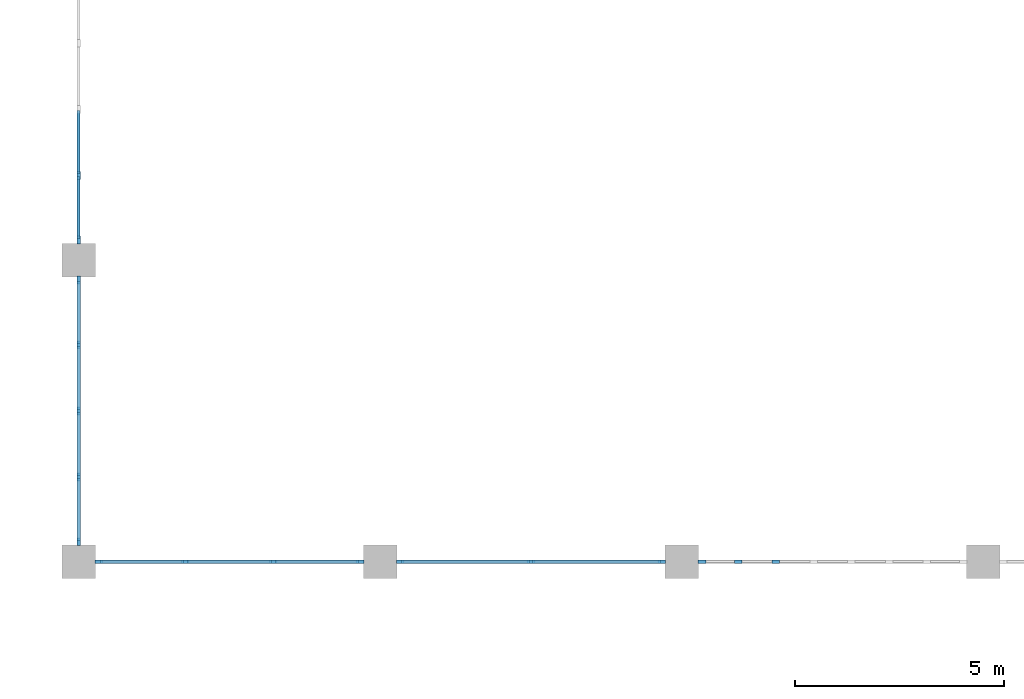
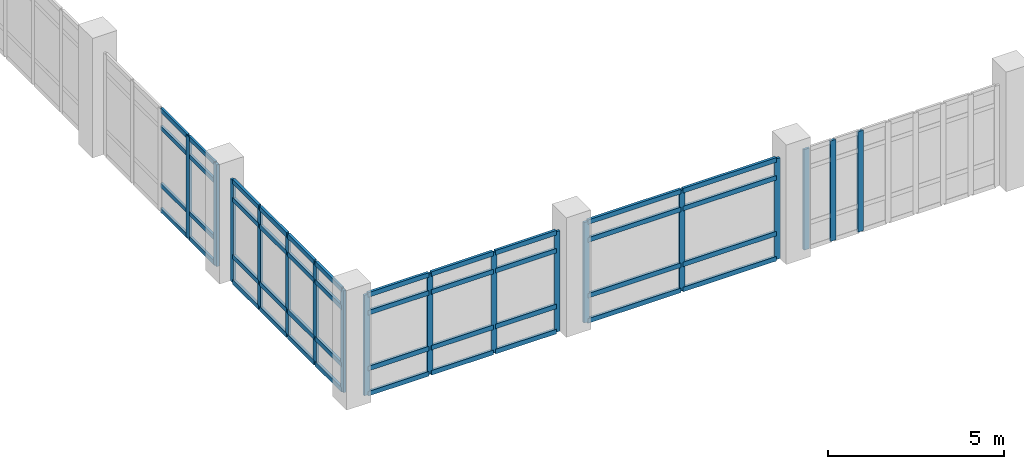
# One storey, part 2 of 62: 61 members, 5 elements without a shape of their own.
"""IFC4 building model written with IfcOpenShell, lengths in metres."""

import ifcopenshell
import ifcopenshell.guid

model = None  # the IFC model being written
_history = None  # IfcOwnerHistory: only IFC2X3 demands one
_inside = {}  # id of a spatial element -> (the spatial element, [elements in it])
_under = {}  # id of a project, library or spatial element -> (it, [spatial elements below it])
_declared = {}  # id of a project -> (the project, [libraries it declares])
_typed = {}  # id of a type object -> (the type object, [elements of that type])
_made_of = {}  # id of a material, layer set ... -> (it, [elements and type objects made of it])


def new_model(schema):
    """Start an empty IFC model of exactly this schema.

    Asked for "IFC4X3", IfcOpenShell would pick the latest addendum, in which some entities
    have other attributes; the version numbers below select the first issue.
    IFC2X3 requires an IfcOwnerHistory on every rooted entity: one is made here for all.
    """
    global model, _history
    if schema == "IFC4X3":
        model = ifcopenshell.file(schema_version=(4, 3, 0, 0))
    else:
        model = ifcopenshell.file(schema=schema)
    _inside.clear()
    _under.clear()
    _declared.clear()
    _typed.clear()
    _made_of.clear()
    _history = None
    if model.schema == "IFC2X3":
        org = make("IfcOrganization", Name="unknown")
        user = make(
            "IfcPersonAndOrganization",
            ThePerson=make("IfcPerson", FamilyName="unknown"),
            TheOrganization=org,
        )
        app = make(
            "IfcApplication",
            ApplicationDeveloper=org,
            Version="unknown",
            ApplicationFullName="unknown",
            ApplicationIdentifier="unknown",
        )
        _history = make(
            "IfcOwnerHistory",
            OwningUser=user,
            OwningApplication=app,
            ChangeAction="ADDED",
            CreationDate=0,
        )
    return model


def make(cls, **values):
    """One entity of the class cls with the attributes given. An attribute that is None is left unset."""
    return model.create_entity(
        cls, **{name: value for name, value in values.items() if value is not None}
    )


def rooted(cls, **values):
    """An entity with a GlobalId (a new one), such as an element, a storey or a relation."""
    return make(cls, GlobalId=ifcopenshell.guid.new(), OwnerHistory=_history, **values)


def si_unit(unit_type, name, prefix=None):
    """IfcSIUnit, for example si_unit("LENGTHUNIT", "METRE", prefix="MILLI")."""
    return make("IfcSIUnit", UnitType=unit_type, Prefix=prefix, Name=name)


def assignment(units):
    """IfcUnitAssignment: the units of a project."""
    return None if units is None else make("IfcUnitAssignment", Units=units)


def point(xyz):
    """IfcCartesianPoint."""
    return None if xyz is None else make("IfcCartesianPoint", Coordinates=xyz)


def direction(xyz):
    """IfcDirection."""
    return None if xyz is None else make("IfcDirection", DirectionRatios=xyz)


def frame(location, z_axis=None, x_axis=None):
    """IfcAxis2Placement3D, a coordinate frame: its origin and axes. An axis left out is left unset."""
    return make(
        "IfcAxis2Placement3D",
        Location=point(location),
        Axis=direction(z_axis),
        RefDirection=direction(x_axis),
    )


def frame_2d(location, x_axis=None):
    """IfcAxis2Placement2D, a coordinate frame in the plane: its origin and x axis."""
    return make(
        "IfcAxis2Placement2D", Location=point(location), RefDirection=direction(x_axis)
    )


def origin():
    """The frame at (0, 0, 0) with its axes left unset."""
    return frame((0.0, 0.0, 0.0))


def origin_2d():
    """The frame at (0, 0) in the plane with its x axis left unset."""
    return frame_2d((0.0, 0.0))


def place(relative_to, where):
    """IfcLocalPlacement: puts the frame where relative to a parent placement (None: the world)."""
    return make(
        "IfcLocalPlacement", PlacementRelTo=relative_to, RelativePlacement=where
    )


def context(
    kind, dimensions, precision=None, world=None, true_north=None, identifier=None
):
    """IfcGeometricRepresentationContext, for example the 3D "Model" context."""
    return make(
        "IfcGeometricRepresentationContext",
        ContextIdentifier=identifier,
        ContextType=kind,
        CoordinateSpaceDimension=dimensions,
        Precision=precision,
        WorldCoordinateSystem=world,
        TrueNorth=true_north,
    )


def subcontext(parent, identifier, kind, view, scale=None):
    """IfcGeometricRepresentationSubContext, for example "Body" below "Model"."""
    return make(
        "IfcGeometricRepresentationSubContext",
        ContextIdentifier=identifier,
        ContextType=kind,
        ParentContext=parent,
        TargetScale=scale,
        TargetView=view,
    )


def project(units=None, contexts=None):
    """IfcProject with its units and contexts."""
    return rooted(
        "IfcProject",
        Name="project",
        RepresentationContexts=contexts,
        UnitsInContext=assignment(units),
    )


def spatial(cls, under=None, at=None, **own):
    """A site, building, storey or space (cls), placed at a placement, below another one or the project."""
    s = rooted(cls, ObjectPlacement=at, **own)
    if under is not None:
        _under.setdefault(under.id(), (under, []))[1].append(s)
    return s


def profile(cls, at=None, kind="AREA", **sizes):
    """A parametric profile (cls). Its sizes go by their IFC names, for example OverallWidth=200.0."""
    return make(cls, ProfileType=kind, Position=at, **sizes)


def rectangle(**sizes):
    """IfcRectangleProfileDef."""
    return profile("IfcRectangleProfileDef", **sizes)


def extrude(swept, where, along, depth):
    """IfcExtrudedAreaSolid: the profile swept, set in the frame where, extruded along a direction by depth."""
    return make(
        "IfcExtrudedAreaSolid",
        SweptArea=swept,
        Position=where,
        ExtrudedDirection=direction(along),
        Depth=depth,
    )


def shape(context_of_items, identifier, shape_type, items):
    """IfcShapeRepresentation: the items that make up one representation, for example the "Body"."""
    return make(
        "IfcShapeRepresentation",
        ContextOfItems=context_of_items,
        RepresentationIdentifier=identifier,
        RepresentationType=shape_type,
        Items=items,
    )


def material(Name=None, Category=None):
    """IfcMaterial."""
    return make("IfcMaterial", Name=Name, Category=Category)


def layer(
    of_material, thickness, ventilated=None, Name=None, Category=None, Priority=None
):
    """IfcMaterialLayer: one layer of a wall or slab, of a material (None: an air gap)."""
    return make(
        "IfcMaterialLayer",
        Material=of_material,
        LayerThickness=thickness,
        IsVentilated=ventilated,
        Name=Name,
        Category=Category,
        Priority=Priority,
    )


def layer_set(layers, Name=None):
    """IfcMaterialLayerSet."""
    return make("IfcMaterialLayerSet", MaterialLayers=layers, LayerSetName=Name)


def material_profile(
    of_material, cross_section, Name=None, Category=None, Priority=None
):
    """IfcMaterialProfile: a cross section and its material."""
    return make(
        "IfcMaterialProfile",
        Name=Name,
        Material=of_material,
        Profile=cross_section,
        Priority=Priority,
        Category=Category,
    )


def profile_set(profiles, Name=None, composite=None):
    """IfcMaterialProfileSet."""
    return make(
        "IfcMaterialProfileSet",
        Name=Name,
        MaterialProfiles=profiles,
        CompositeProfile=composite,
    )


def made_of(thing, what):
    """Note that an element or type object is made of a material, layer set ...; save() writes the relation."""
    if what is not None:
        _made_of.setdefault(what.id(), (what, []))[1].append(thing)
    return thing


def type_object(cls, material=None, **own):
    """A type object (cls), such as IfcWallType, which elements share."""
    return made_of(rooted(cls, **own), material)


def element(
    cls,
    number,
    at=None,
    inside=None,
    cuts=None,
    type_object=None,
    material=None,
    context=None,
    identifier="Body",
    shape_type=None,
    held_by="IfcProductDefinitionShape",
    body=None,
    shapes=None,
    **own,
):
    """One element of the class cls, such as IfcWall. Its Tag is "e" and its number.

    at: its placement. inside: the storey or other place that contains it. cuts: it is an
    opening in that element (IfcRelVoidsElement). A single representation is given by context,
    identifier, shape_type and body (its items); several are given by shapes. held_by: the class
    of the entity that holds the representations. save() writes the other relations.
    """
    e = rooted(cls, Tag="e%d" % number, ObjectPlacement=at, **own)
    if body is not None:
        shapes = [shape(context, identifier, shape_type, body)]
    if shapes is not None:
        e.Representation = make(held_by, Representations=shapes)
    if inside is not None:
        _inside.setdefault(inside.id(), (inside, []))[1].append(e)
    if cuts is not None:
        rooted(
            "IfcRelVoidsElement", RelatingBuildingElement=cuts, RelatedOpeningElement=e
        )
    if type_object is not None:
        _typed.setdefault(type_object.id(), (type_object, []))[1].append(e)
    return made_of(e, material)


def aggregate(whole, parts):
    """IfcRelAggregates: a whole, such as a stair, and the parts it consists of."""
    return rooted("IfcRelAggregates", RelatingObject=whole, RelatedObjects=parts)


def save(model, path):
    """Write the relations noted so far, then the file.

    IfcRelAggregates (storeys below a building ...), IfcRelContainedInSpatialStructure (elements
    in a storey), IfcRelDefinesByType, IfcRelAssociatesMaterial and IfcRelDeclares: one each for
    every whole, place, type object, material and project.
    """
    for whole, parts in _under.values():
        aggregate(whole, parts)
    for where, things in _inside.values():
        rooted(
            "IfcRelContainedInSpatialStructure",
            RelatedElements=things,
            RelatingStructure=where,
        )
    for kind, things in _typed.values():
        rooted("IfcRelDefinesByType", RelatedObjects=things, RelatingType=kind)
    for what, things in _made_of.values():
        rooted("IfcRelAssociatesMaterial", RelatedObjects=things, RelatingMaterial=what)
    for by, libraries in _declared.values():
        rooted("IfcRelDeclares", RelatingContext=by, RelatedDefinitions=libraries)
    model.write(path)


model = new_model("IFC4")

# Units and contexts
model_context = context("Model", 3, precision=1e-05, world=origin(), true_north=direction((0.0, 1.0)))
body_context = subcontext(model_context, "Body", "Model", "MODEL_VIEW")
ifc_project = project(units=[si_unit("LENGTHUNIT", "METRE"), si_unit("AREAUNIT", "SQUARE_METRE"), si_unit("VOLUMEUNIT", "CUBIC_METRE"), si_unit("PLANEANGLEUNIT", "RADIAN"), si_unit("MASSUNIT", "GRAM", prefix="KILO")], contexts=[model_context])

# Site, building, storey
site_placement = place(None, origin())
site = spatial("IfcSite", under=ifc_project, at=site_placement, CompositionType="ELEMENT")
building_placement = place(site_placement, origin())
building = spatial("IfcBuilding", under=site, at=building_placement, Name="Kavelor Marine Aquarium", CompositionType="ELEMENT")
storey_placement = place(building_placement, frame((0.0, 0.0, 13.5)))
storey = spatial("IfcBuildingStorey", under=building, at=storey_placement, Name="L03", CompositionType="ELEMENT", Elevation=13.5)

# Curtain wall, members
ifc_material_1 = material(Name="Thermally Broken Aluminium and Low-E Glass", Category="aluminium")
ifc_layer_1 = layer(ifc_material_1, 0.31591796875)
ifc_layer_set_1 = layer_set([ifc_layer_1], Name="CW-SYS22")
curtain_wall_type_1 = type_object("IfcCurtainWallType", Name="CW-SYS22", PredefinedType="USERDEFINED", material=ifc_layer_set_1)
curtain_wall_1_placement = place(storey_placement, origin())
curtain_wall_1 = element("IfcCurtainWall", 1, at=curtain_wall_1_placement, inside=storey, type_object=curtain_wall_type_1, Name="cw:x:L03:00_03", ObjectType="Curtain Wall", PredefinedType="USERDEFINED")
ifc_material_2 = material(Name="Anodised Aluminium Alloy 6063-T6", Category="aluminium")
ifc_material_profile_1 = material_profile(ifc_material_2, rectangle(XDim=0.074951171875, YDim=0.179931640625, at=origin_2d()), Name="CW-MUL 75x180")
ifc_profile_set_1 = profile_set([ifc_material_profile_1], Name="Anodised Aluminium Alloy 6063-T6")
member_type_1 = type_object("IfcMemberType", Name="CWM-1", PredefinedType="MULLION", material=ifc_profile_set_1)
member_1_placement = place(storey_placement, frame((9.91748046875, 24.39990234375, 0.0), z_axis=(0.0, 0.0, 1.0), x_axis=(0.0, -1.0, 0.0)))
member_1 = element("IfcMember", 2, at=member_1_placement, type_object=member_type_1, Name="CW22 mullion 1", PredefinedType="MULLION", context=body_context, shape_type="SweptSolid", body=[
    extrude(rectangle(XDim=0.074951171875, YDim=0.179931640625, at=origin_2d()), origin(), (0.0, 0.0, 1.0), 3.47998046875),
])
member_2_placement = place(storey_placement, frame((7.8515625, 24.39990234375, 0.0), z_axis=(0.0, 0.0, 1.0), x_axis=(0.0, -1.0, 0.0)))
member_2 = element("IfcMember", 3, at=member_2_placement, type_object=member_type_1, Name="CW22 mullion 2", PredefinedType="MULLION", context=body_context, shape_type="SweptSolid", body=[
    extrude(rectangle(XDim=0.074951171875, YDim=0.179931640625, at=origin_2d()), origin(), (0.0, 0.0, 1.0), 3.47998046875),
])
member_3_placement = place(storey_placement, frame((5.748291015625, 24.39990234375, 0.0), z_axis=(0.0, 0.0, 1.0), x_axis=(0.0, -1.0, 0.0)))
member_3 = element("IfcMember", 4, at=member_3_placement, type_object=member_type_1, Name="CW22 mullion 3", PredefinedType="MULLION", context=body_context, shape_type="SweptSolid", body=[
    extrude(rectangle(XDim=0.074951171875, YDim=0.179931640625, at=origin_2d()), origin(), (0.0, 0.0, 1.0), 3.47998046875),
])
member_4_placement = place(storey_placement, frame((3.6826171875, 24.39990234375, 0.0), z_axis=(0.0, 0.0, 1.0), x_axis=(0.0, -1.0, 0.0)))
member_4 = element("IfcMember", 5, at=member_4_placement, type_object=member_type_1, Name="CW22 mullion 4", PredefinedType="MULLION", context=body_context, shape_type="SweptSolid", body=[
    extrude(rectangle(XDim=0.074951171875, YDim=0.179931640625, at=origin_2d()), origin(), (0.0, 0.0, 1.0), 3.47998046875),
])

ifc_material_3 = material(Name="Thermally Broken Aluminium and Low-E Glass", Category="aluminium")
ifc_layer_2 = layer(ifc_material_3, 0.14794921875)
ifc_layer_set_2 = layer_set([ifc_layer_2], Name="CW-SYS1")
curtain_wall_type_2 = type_object("IfcCurtainWallType", Name="CW-SYS1", PredefinedType="USERDEFINED", material=ifc_layer_set_2)
curtain_wall_2_placement = place(storey_placement, origin())
curtain_wall_2 = element("IfcCurtainWall", 6, at=curtain_wall_2_placement, inside=storey, type_object=curtain_wall_type_2, Name="cw:x:L03:02_03", ObjectType="Curtain Wall", PredefinedType="USERDEFINED")
member_5_placement = place(storey_placement, frame((19.847900390625, 24.39990234375, 0.0), z_axis=(0.0, 0.0, 1.0), x_axis=(0.0, -1.0, 0.0)))
member_5 = element("IfcMember", 7, at=member_5_placement, type_object=member_type_1, Name="CW01 mullion 6", PredefinedType="MULLION", context=body_context, shape_type="SweptSolid", body=[
    extrude(rectangle(XDim=0.074951171875, YDim=0.179931640625, at=origin_2d()), origin(), (0.0, 0.0, 1.0), 3.47998046875),
])
member_6_placement = place(storey_placement, frame((18.946533203125, 24.39990234375, 0.0), z_axis=(0.0, 0.0, 1.0), x_axis=(0.0, -1.0, 0.0)))
member_6 = element("IfcMember", 8, at=member_6_placement, type_object=member_type_1, Name="CW01 mullion 7", PredefinedType="MULLION", context=body_context, shape_type="SweptSolid", body=[
    extrude(rectangle(XDim=0.074951171875, YDim=0.179931640625, at=origin_2d()), origin(), (0.0, 0.0, 1.0), 3.47998046875),
])
member_7_placement = place(storey_placement, frame((18.08251953125, 24.39990234375, 0.0), z_axis=(0.0, 0.0, 1.0), x_axis=(0.0, -1.0, 0.0)))
member_7 = element("IfcMember", 9, at=member_7_placement, type_object=member_type_1, Name="CW01 mullion 8", PredefinedType="MULLION", context=body_context, shape_type="SweptSolid", body=[
    extrude(rectangle(XDim=0.074951171875, YDim=0.179931640625, at=origin_2d()), origin(), (0.0, 0.0, 1.0), 3.47998046875),
])
aggregate(curtain_wall_2, [member_5, member_6, member_7])

ifc_material_4 = material(Name="Thermally Broken Aluminium and Low-E Glass", Category="aluminium")
ifc_layer_3 = layer(ifc_material_4, 0.323974609375)
ifc_layer_set_3 = layer_set([ifc_layer_3], Name="CW-SYS23")
curtain_wall_type_3 = type_object("IfcCurtainWallType", Name="CW-SYS23", PredefinedType="USERDEFINED", material=ifc_layer_set_3)
curtain_wall_3_placement = place(storey_placement, origin())
curtain_wall_3 = element("IfcCurtainWall", 10, at=curtain_wall_3_placement, inside=storey, type_object=curtain_wall_type_3, Name="cw:x:L03:01_03", ObjectType="Curtain Wall", PredefinedType="USERDEFINED")
ifc_material_5 = material(Name="Anodised Aluminium Alloy 6063-T6", Category="aluminium")
ifc_material_profile_2 = material_profile(ifc_material_5, rectangle(XDim=0.080078125, YDim=0.18505859375, at=origin_2d()), Name="CW-MUL 80x185")
ifc_profile_set_2 = profile_set([ifc_material_profile_2], Name="Anodised Aluminium Alloy 6063-T6")
member_type_2 = type_object("IfcMemberType", Name="CWM-2", PredefinedType="MULLION", material=ifc_profile_set_2)
member_8_placement = place(storey_placement, frame((17.12255859375, 24.39990234375, 0.0), z_axis=(0.0, 0.0, 1.0), x_axis=(0.0, -1.0, 0.0)))
member_8 = element("IfcMember", 11, at=member_8_placement, type_object=member_type_2, Name="CW23 mullion 1", PredefinedType="MULLION", context=body_context, shape_type="SweptSolid", body=[
    extrude(rectangle(XDim=0.080078125, YDim=0.18505859375, at=origin_2d()), origin(), (0.0, 0.0, 1.0), 3.47998046875),
])
member_9_placement = place(storey_placement, frame((14.0, 24.39990234375, 0.0), z_axis=(0.0, 0.0, 1.0), x_axis=(0.0, -1.0, 0.0)))
member_9 = element("IfcMember", 12, at=member_9_placement, type_object=member_type_2, Name="CW23 mullion 2", PredefinedType="MULLION", context=body_context, shape_type="SweptSolid", body=[
    extrude(rectangle(XDim=0.080078125, YDim=0.18505859375, at=origin_2d()), origin(), (0.0, 0.0, 1.0), 3.47998046875),
])
member_10_placement = place(storey_placement, frame((10.87744140625, 24.39990234375, 0.0), z_axis=(0.0, 0.0, 1.0), x_axis=(0.0, -1.0, 0.0)))
member_10 = element("IfcMember", 13, at=member_10_placement, type_object=member_type_2, Name="CW23 mullion 3", PredefinedType="MULLION", context=body_context, shape_type="SweptSolid", body=[
    extrude(rectangle(XDim=0.080078125, YDim=0.18505859375, at=origin_2d()), origin(), (0.0, 0.0, 1.0), 3.47998046875),
])

ifc_material_6 = material(Name="Thermally Broken Aluminium and Low-E Glass", Category="aluminium")
ifc_layer_4 = layer(ifc_material_6, 0.22802734375)
ifc_layer_set_4 = layer_set([ifc_layer_4], Name="CW-SYS11")
curtain_wall_type_4 = type_object("IfcCurtainWallType", Name="CW-SYS11", PredefinedType="USERDEFINED", material=ifc_layer_set_4)
curtain_wall_4_placement = place(storey_placement, origin())
curtain_wall_4 = element("IfcCurtainWall", 14, at=curtain_wall_4_placement, inside=storey, type_object=curtain_wall_type_4, Name="cw:y:L03:00_03", ObjectType="Curtain Wall", PredefinedType="USERDEFINED")
member_11_placement = place(storey_placement, frame((3.199951171875, 31.12255859375, 0.0), z_axis=(0.0, 0.0, 1.0), x_axis=(1.0, 0.0, 0.0)))
member_11 = element("IfcMember", 15, at=member_11_placement, type_object=member_type_2, Name="CW11 mullion 1", PredefinedType="MULLION", context=body_context, shape_type="SweptSolid", body=[
    extrude(rectangle(XDim=0.080078125, YDim=0.18505859375, at=origin_2d()), origin(), (0.0, 0.0, 1.0), 3.530029296875),
])
member_12_placement = place(storey_placement, frame((3.199951171875, 29.577392578125, 0.0), z_axis=(0.0, 0.0, 1.0), x_axis=(1.0, 0.0, 0.0)))
member_12 = element("IfcMember", 16, at=member_12_placement, type_object=member_type_2, Name="CW11 mullion 2", PredefinedType="MULLION", context=body_context, shape_type="SweptSolid", body=[
    extrude(rectangle(XDim=0.080078125, YDim=0.18505859375, at=origin_2d()), origin(), (0.0, 0.0, 1.0), 3.530029296875),
])
member_13_placement = place(storey_placement, frame((3.199951171875, 28.0, 0.0), z_axis=(0.0, 0.0, 1.0), x_axis=(1.0, 0.0, 0.0)))
member_13 = element("IfcMember", 17, at=member_13_placement, type_object=member_type_2, Name="CW11 mullion 3", PredefinedType="MULLION", context=body_context, shape_type="SweptSolid", body=[
    extrude(rectangle(XDim=0.080078125, YDim=0.18505859375, at=origin_2d()), origin(), (0.0, 0.0, 1.0), 3.530029296875),
])
member_14_placement = place(storey_placement, frame((3.199951171875, 26.422607421875, 0.0), z_axis=(0.0, 0.0, 1.0), x_axis=(1.0, 0.0, 0.0)))
member_14 = element("IfcMember", 18, at=member_14_placement, type_object=member_type_2, Name="CW11 mullion 4", PredefinedType="MULLION", context=body_context, shape_type="SweptSolid", body=[
    extrude(rectangle(XDim=0.080078125, YDim=0.18505859375, at=origin_2d()), origin(), (0.0, 0.0, 1.0), 3.530029296875),
])
member_15_placement = place(storey_placement, frame((3.199951171875, 24.87744140625, 0.0), z_axis=(0.0, 0.0, 1.0), x_axis=(1.0, 0.0, 0.0)))
member_15 = element("IfcMember", 19, at=member_15_placement, type_object=member_type_2, Name="CW11 mullion 5", PredefinedType="MULLION", context=body_context, shape_type="SweptSolid", body=[
    extrude(rectangle(XDim=0.080078125, YDim=0.18505859375, at=origin_2d()), origin(), (0.0, 0.0, 1.0), 3.530029296875),
])

ifc_material_7 = material(Name="Thermally Broken Aluminium and Low-E Glass", Category="aluminium")
ifc_layer_5 = layer(ifc_material_7, 0.236083984375)
ifc_layer_set_5 = layer_set([ifc_layer_5], Name="CW-SYS12")
curtain_wall_type_5 = type_object("IfcCurtainWallType", Name="CW-SYS12", PredefinedType="USERDEFINED", material=ifc_layer_set_5)
curtain_wall_5_placement = place(storey_placement, origin())
curtain_wall_5 = element("IfcCurtainWall", 20, at=curtain_wall_5_placement, inside=storey, type_object=curtain_wall_type_5, Name="cw:y:L03:00_04", ObjectType="Curtain Wall", PredefinedType="USERDEFINED")
ifc_material_8 = material(Name="Anodised Aluminium Alloy 6063-T6", Category="aluminium")
ifc_material_profile_3 = material_profile(ifc_material_8, rectangle(XDim=0.0849609375, YDim=0.18994140625, at=origin_2d()), Name="CW-MUL 85x190")
ifc_profile_set_3 = profile_set([ifc_material_profile_3], Name="Anodised Aluminium Alloy 6063-T6")
member_type_3 = type_object("IfcMemberType", Name="CWM-3", PredefinedType="MULLION", material=ifc_profile_set_3)
member_16_placement = place(storey_placement, frame((3.199951171875, 33.62255859375, 0.0), z_axis=(0.0, 0.0, 1.0), x_axis=(1.0, 0.0, 0.0)))
member_16 = element("IfcMember", 21, at=member_16_placement, type_object=member_type_3, Name="CW12 mullion 4", PredefinedType="MULLION", context=body_context, shape_type="SweptSolid", body=[
    extrude(rectangle(XDim=0.0849609375, YDim=0.18994140625, at=origin_2d()), origin(), (0.0, 0.0, 1.0), 3.530029296875),
])
member_17_placement = place(storey_placement, frame((3.199951171875, 32.074951171875, 0.0), z_axis=(0.0, 0.0, 1.0), x_axis=(1.0, 0.0, 0.0)))
member_17 = element("IfcMember", 22, at=member_17_placement, type_object=member_type_3, Name="CW12 mullion 5", PredefinedType="MULLION", context=body_context, shape_type="SweptSolid", body=[
    extrude(rectangle(XDim=0.0849609375, YDim=0.18994140625, at=origin_2d()), origin(), (0.0, 0.0, 1.0), 3.530029296875),
])
ifc_material_9 = material(Name="Anodised Aluminium Alloy 6063-T6", Category="aluminium")
ifc_material_profile_4 = material_profile(ifc_material_9, rectangle(XDim=0.074951171875, YDim=0.14990234375, at=origin_2d()), Name="CW-TRN 75x150")
ifc_profile_set_4 = profile_set([ifc_material_profile_4], Name="Anodised Aluminium Alloy 6063-T6")
member_type_4 = type_object("IfcMemberType", Name="CWT-1", PredefinedType="USERDEFINED", material=ifc_profile_set_4)
member_18_placement = place(storey_placement, frame((3.199951171875, 35.169921875, 0.03759765625), z_axis=(0.0, -1.0, 0.0), x_axis=(1.0, 0.0, 0.0)))
member_18 = element("IfcMember", 23, at=member_18_placement, type_object=member_type_4, Name="CW12 transom 3.1", ObjectType="TRANSOM", PredefinedType="USERDEFINED", context=body_context, shape_type="SweptSolid", body=[
    extrude(rectangle(XDim=0.074951171875, YDim=0.14990234375, at=origin_2d()), origin(), (0.0, 0.0, 1.0), 1.517333984375),
])
member_19_placement = place(storey_placement, frame((3.199951171875, 35.169921875, 0.89990234375), z_axis=(0.0, -1.0, 0.0), x_axis=(1.0, 0.0, 0.0)))
member_19 = element("IfcMember", 24, at=member_19_placement, type_object=member_type_4, Name="CW12 transom 3.2", ObjectType="TRANSOM", PredefinedType="USERDEFINED", context=body_context, shape_type="SweptSolid", body=[
    extrude(rectangle(XDim=0.074951171875, YDim=0.14990234375, at=origin_2d()), origin(), (0.0, 0.0, 1.0), 1.517333984375),
])
member_20_placement = place(storey_placement, frame((3.199951171875, 35.169921875, 2.8798828125), z_axis=(0.0, -1.0, 0.0), x_axis=(1.0, 0.0, 0.0)))
member_20 = element("IfcMember", 25, at=member_20_placement, type_object=member_type_4, Name="CW12 transom 3.3", ObjectType="TRANSOM", PredefinedType="USERDEFINED", context=body_context, shape_type="SweptSolid", body=[
    extrude(rectangle(XDim=0.074951171875, YDim=0.14990234375, at=origin_2d()), origin(), (0.0, 0.0, 1.0), 1.517333984375),
])
member_21_placement = place(storey_placement, frame((3.199951171875, 35.169921875, 3.492431640625), z_axis=(0.0, -1.0, 0.0), x_axis=(1.0, 0.0, 0.0)))
member_21 = element("IfcMember", 26, at=member_21_placement, type_object=member_type_4, Name="CW12 transom 3.4", ObjectType="TRANSOM", PredefinedType="USERDEFINED", context=body_context, shape_type="SweptSolid", body=[
    extrude(rectangle(XDim=0.074951171875, YDim=0.14990234375, at=origin_2d()), origin(), (0.0, 0.0, 1.0), 1.517333984375),
])
member_22_placement = place(storey_placement, frame((3.199951171875, 33.592529296875, 0.03759765625), z_axis=(0.0, -1.0, 0.0), x_axis=(1.0, 0.0, 0.0)))
member_22 = element("IfcMember", 27, at=member_22_placement, type_object=member_type_4, Name="CW12 transom 4.1", ObjectType="TRANSOM", PredefinedType="USERDEFINED", context=body_context, shape_type="SweptSolid", body=[
    extrude(rectangle(XDim=0.074951171875, YDim=0.14990234375, at=origin_2d()), origin(), (0.0, 0.0, 1.0), 1.487548828125),
])
member_23_placement = place(storey_placement, frame((3.199951171875, 33.592529296875, 0.89990234375), z_axis=(0.0, -1.0, 0.0), x_axis=(1.0, 0.0, 0.0)))
member_23 = element("IfcMember", 28, at=member_23_placement, type_object=member_type_4, Name="CW12 transom 4.2", ObjectType="TRANSOM", PredefinedType="USERDEFINED", context=body_context, shape_type="SweptSolid", body=[
    extrude(rectangle(XDim=0.074951171875, YDim=0.14990234375, at=origin_2d()), origin(), (0.0, 0.0, 1.0), 1.487548828125),
])
member_24_placement = place(storey_placement, frame((3.199951171875, 33.592529296875, 2.8798828125), z_axis=(0.0, -1.0, 0.0), x_axis=(1.0, 0.0, 0.0)))
member_24 = element("IfcMember", 29, at=member_24_placement, type_object=member_type_4, Name="CW12 transom 4.3", ObjectType="TRANSOM", PredefinedType="USERDEFINED", context=body_context, shape_type="SweptSolid", body=[
    extrude(rectangle(XDim=0.074951171875, YDim=0.14990234375, at=origin_2d()), origin(), (0.0, 0.0, 1.0), 1.487548828125),
])
member_25_placement = place(storey_placement, frame((3.199951171875, 33.592529296875, 3.492431640625), z_axis=(0.0, -1.0, 0.0), x_axis=(1.0, 0.0, 0.0)))
member_25 = element("IfcMember", 30, at=member_25_placement, type_object=member_type_4, Name="CW12 transom 4.4", ObjectType="TRANSOM", PredefinedType="USERDEFINED", context=body_context, shape_type="SweptSolid", body=[
    extrude(rectangle(XDim=0.074951171875, YDim=0.14990234375, at=origin_2d()), origin(), (0.0, 0.0, 1.0), 1.487548828125),
])
aggregate(curtain_wall_5, [member_16, member_17, member_18, member_19, member_20, member_21, member_22, member_23, member_24, member_25])

# Member
ifc_material_10 = material(Name="Anodised Aluminium Alloy 6063-T6", Category="aluminium")
ifc_material_profile_5 = material_profile(ifc_material_10, rectangle(XDim=0.0849609375, YDim=0.159912109375, at=origin_2d()), Name="CW-TRN 85x160")
ifc_profile_set_5 = profile_set([ifc_material_profile_5], Name="Anodised Aluminium Alloy 6063-T6")
member_type_5 = type_object("IfcMemberType", Name="CWT-3", PredefinedType="USERDEFINED", material=ifc_profile_set_5)
member_26_placement = place(storey_placement, frame((9.8798828125, 24.39990234375, 0.030029296875), z_axis=(-1.0, 0.0, 0.0), x_axis=(0.0, -1.0, 0.0)))
member_26 = element("IfcMember", 31, at=member_26_placement, type_object=member_type_5, Name="CW22 transom 1.1", ObjectType="TRANSOM", PredefinedType="USERDEFINED", context=body_context, shape_type="SweptSolid", body=[
    extrude(rectangle(XDim=0.0849609375, YDim=0.159912109375, at=origin_2d()), origin(), (0.0, 0.0, 1.0), 1.99072265625),
])

member_27_placement = place(storey_placement, frame((9.8798828125, 24.39990234375, 0.89990234375), z_axis=(-1.0, 0.0, 0.0), x_axis=(0.0, -1.0, 0.0)))
member_27 = element("IfcMember", 32, at=member_27_placement, type_object=member_type_5, Name="CW22 transom 1.2", ObjectType="TRANSOM", PredefinedType="USERDEFINED", context=body_context, shape_type="SweptSolid", body=[
    extrude(rectangle(XDim=0.0849609375, YDim=0.159912109375, at=origin_2d()), origin(), (0.0, 0.0, 1.0), 1.99072265625),
])

member_28_placement = place(storey_placement, frame((9.8798828125, 24.39990234375, 2.830078125), z_axis=(-1.0, 0.0, 0.0), x_axis=(0.0, -1.0, 0.0)))
member_28 = element("IfcMember", 33, at=member_28_placement, type_object=member_type_5, Name="CW22 transom 1.3", ObjectType="TRANSOM", PredefinedType="USERDEFINED", context=body_context, shape_type="SweptSolid", body=[
    extrude(rectangle(XDim=0.0849609375, YDim=0.159912109375, at=origin_2d()), origin(), (0.0, 0.0, 1.0), 1.99072265625),
])

member_29_placement = place(storey_placement, frame((9.8798828125, 24.39990234375, 3.449951171875), z_axis=(-1.0, 0.0, 0.0), x_axis=(0.0, -1.0, 0.0)))
member_29 = element("IfcMember", 34, at=member_29_placement, type_object=member_type_5, Name="CW22 transom 1.4", ObjectType="TRANSOM", PredefinedType="USERDEFINED", context=body_context, shape_type="SweptSolid", body=[
    extrude(rectangle(XDim=0.0849609375, YDim=0.159912109375, at=origin_2d()), origin(), (0.0, 0.0, 1.0), 1.99072265625),
])

member_30_placement = place(storey_placement, frame((7.814208984375, 24.39990234375, 0.030029296875), z_axis=(-1.0, 0.0, 0.0), x_axis=(0.0, -1.0, 0.0)))
member_30 = element("IfcMember", 35, at=member_30_placement, type_object=member_type_5, Name="CW22 transom 2.1", ObjectType="TRANSOM", PredefinedType="USERDEFINED", context=body_context, shape_type="SweptSolid", body=[
    extrude(rectangle(XDim=0.0849609375, YDim=0.159912109375, at=origin_2d()), origin(), (0.0, 0.0, 1.0), 2.0283203125),
])

member_31_placement = place(storey_placement, frame((7.814208984375, 24.39990234375, 0.89990234375), z_axis=(-1.0, 0.0, 0.0), x_axis=(0.0, -1.0, 0.0)))
member_31 = element("IfcMember", 36, at=member_31_placement, type_object=member_type_5, Name="CW22 transom 2.2", ObjectType="TRANSOM", PredefinedType="USERDEFINED", context=body_context, shape_type="SweptSolid", body=[
    extrude(rectangle(XDim=0.0849609375, YDim=0.159912109375, at=origin_2d()), origin(), (0.0, 0.0, 1.0), 2.0283203125),
])

member_32_placement = place(storey_placement, frame((7.814208984375, 24.39990234375, 2.830078125), z_axis=(-1.0, 0.0, 0.0), x_axis=(0.0, -1.0, 0.0)))
member_32 = element("IfcMember", 37, at=member_32_placement, type_object=member_type_5, Name="CW22 transom 2.3", ObjectType="TRANSOM", PredefinedType="USERDEFINED", context=body_context, shape_type="SweptSolid", body=[
    extrude(rectangle(XDim=0.0849609375, YDim=0.159912109375, at=origin_2d()), origin(), (0.0, 0.0, 1.0), 2.0283203125),
])

member_33_placement = place(storey_placement, frame((7.814208984375, 24.39990234375, 3.449951171875), z_axis=(-1.0, 0.0, 0.0), x_axis=(0.0, -1.0, 0.0)))
member_33 = element("IfcMember", 38, at=member_33_placement, type_object=member_type_5, Name="CW22 transom 2.4", ObjectType="TRANSOM", PredefinedType="USERDEFINED", context=body_context, shape_type="SweptSolid", body=[
    extrude(rectangle(XDim=0.0849609375, YDim=0.159912109375, at=origin_2d()), origin(), (0.0, 0.0, 1.0), 2.0283203125),
])

member_34_placement = place(storey_placement, frame((5.7109375, 24.39990234375, 0.030029296875), z_axis=(-1.0, 0.0, 0.0), x_axis=(0.0, -1.0, 0.0)))
member_34 = element("IfcMember", 39, at=member_34_placement, type_object=member_type_5, Name="CW22 transom 3.1", ObjectType="TRANSOM", PredefinedType="USERDEFINED", context=body_context, shape_type="SweptSolid", body=[
    extrude(rectangle(XDim=0.0849609375, YDim=0.159912109375, at=origin_2d()), origin(), (0.0, 0.0, 1.0), 1.990966796875),
])

member_35_placement = place(storey_placement, frame((5.7109375, 24.39990234375, 0.89990234375), z_axis=(-1.0, 0.0, 0.0), x_axis=(0.0, -1.0, 0.0)))
member_35 = element("IfcMember", 40, at=member_35_placement, type_object=member_type_5, Name="CW22 transom 3.2", ObjectType="TRANSOM", PredefinedType="USERDEFINED", context=body_context, shape_type="SweptSolid", body=[
    extrude(rectangle(XDim=0.0849609375, YDim=0.159912109375, at=origin_2d()), origin(), (0.0, 0.0, 1.0), 1.990966796875),
])

member_36_placement = place(storey_placement, frame((5.7109375, 24.39990234375, 2.830078125), z_axis=(-1.0, 0.0, 0.0), x_axis=(0.0, -1.0, 0.0)))
member_36 = element("IfcMember", 41, at=member_36_placement, type_object=member_type_5, Name="CW22 transom 3.3", ObjectType="TRANSOM", PredefinedType="USERDEFINED", context=body_context, shape_type="SweptSolid", body=[
    extrude(rectangle(XDim=0.0849609375, YDim=0.159912109375, at=origin_2d()), origin(), (0.0, 0.0, 1.0), 1.990966796875),
])

member_37_placement = place(storey_placement, frame((5.7109375, 24.39990234375, 3.449951171875), z_axis=(-1.0, 0.0, 0.0), x_axis=(0.0, -1.0, 0.0)))
member_37 = element("IfcMember", 42, at=member_37_placement, type_object=member_type_5, Name="CW22 transom 3.4", ObjectType="TRANSOM", PredefinedType="USERDEFINED", context=body_context, shape_type="SweptSolid", body=[
    extrude(rectangle(XDim=0.0849609375, YDim=0.159912109375, at=origin_2d()), origin(), (0.0, 0.0, 1.0), 1.990966796875),
])

aggregate(curtain_wall_1, [member_1, member_2, member_3, member_4, member_26, member_27, member_28, member_29, member_30, member_31, member_32, member_33, member_34, member_35, member_36, member_37])

member_38_placement = place(storey_placement, frame((17.090087890625, 24.39990234375, 0.030029296875), z_axis=(-1.0, 0.0, 0.0), x_axis=(0.0, -1.0, 0.0)))
member_38 = element("IfcMember", 43, at=member_38_placement, type_object=member_type_5, Name="CW23 transom 1.1", ObjectType="TRANSOM", PredefinedType="USERDEFINED", context=body_context, shape_type="SweptSolid", body=[
    extrude(rectangle(XDim=0.0849609375, YDim=0.159912109375, at=origin_2d()), origin(), (0.0, 0.0, 1.0), 3.0576171875),
])

member_39_placement = place(storey_placement, frame((17.090087890625, 24.39990234375, 0.89990234375), z_axis=(-1.0, 0.0, 0.0), x_axis=(0.0, -1.0, 0.0)))
member_39 = element("IfcMember", 44, at=member_39_placement, type_object=member_type_5, Name="CW23 transom 1.2", ObjectType="TRANSOM", PredefinedType="USERDEFINED", context=body_context, shape_type="SweptSolid", body=[
    extrude(rectangle(XDim=0.0849609375, YDim=0.159912109375, at=origin_2d()), origin(), (0.0, 0.0, 1.0), 3.0576171875),
])

member_40_placement = place(storey_placement, frame((17.090087890625, 24.39990234375, 2.830078125), z_axis=(-1.0, 0.0, 0.0), x_axis=(0.0, -1.0, 0.0)))
member_40 = element("IfcMember", 45, at=member_40_placement, type_object=member_type_5, Name="CW23 transom 1.3", ObjectType="TRANSOM", PredefinedType="USERDEFINED", context=body_context, shape_type="SweptSolid", body=[
    extrude(rectangle(XDim=0.0849609375, YDim=0.159912109375, at=origin_2d()), origin(), (0.0, 0.0, 1.0), 3.0576171875),
])

member_41_placement = place(storey_placement, frame((17.090087890625, 24.39990234375, 3.449951171875), z_axis=(-1.0, 0.0, 0.0), x_axis=(0.0, -1.0, 0.0)))
member_41 = element("IfcMember", 46, at=member_41_placement, type_object=member_type_5, Name="CW23 transom 1.4", ObjectType="TRANSOM", PredefinedType="USERDEFINED", context=body_context, shape_type="SweptSolid", body=[
    extrude(rectangle(XDim=0.0849609375, YDim=0.159912109375, at=origin_2d()), origin(), (0.0, 0.0, 1.0), 3.0576171875),
])

member_42_placement = place(storey_placement, frame((13.967529296875, 24.39990234375, 0.030029296875), z_axis=(-1.0, 0.0, 0.0), x_axis=(0.0, -1.0, 0.0)))
member_42 = element("IfcMember", 47, at=member_42_placement, type_object=member_type_5, Name="CW23 transom 2.1", ObjectType="TRANSOM", PredefinedType="USERDEFINED", context=body_context, shape_type="SweptSolid", body=[
    extrude(rectangle(XDim=0.0849609375, YDim=0.159912109375, at=origin_2d()), origin(), (0.0, 0.0, 1.0), 3.0576171875),
])

member_43_placement = place(storey_placement, frame((13.967529296875, 24.39990234375, 0.89990234375), z_axis=(-1.0, 0.0, 0.0), x_axis=(0.0, -1.0, 0.0)))
member_43 = element("IfcMember", 48, at=member_43_placement, type_object=member_type_5, Name="CW23 transom 2.2", ObjectType="TRANSOM", PredefinedType="USERDEFINED", context=body_context, shape_type="SweptSolid", body=[
    extrude(rectangle(XDim=0.0849609375, YDim=0.159912109375, at=origin_2d()), origin(), (0.0, 0.0, 1.0), 3.0576171875),
])

member_44_placement = place(storey_placement, frame((13.967529296875, 24.39990234375, 2.830078125), z_axis=(-1.0, 0.0, 0.0), x_axis=(0.0, -1.0, 0.0)))
member_44 = element("IfcMember", 49, at=member_44_placement, type_object=member_type_5, Name="CW23 transom 2.3", ObjectType="TRANSOM", PredefinedType="USERDEFINED", context=body_context, shape_type="SweptSolid", body=[
    extrude(rectangle(XDim=0.0849609375, YDim=0.159912109375, at=origin_2d()), origin(), (0.0, 0.0, 1.0), 3.0576171875),
])

member_45_placement = place(storey_placement, frame((13.967529296875, 24.39990234375, 3.449951171875), z_axis=(-1.0, 0.0, 0.0), x_axis=(0.0, -1.0, 0.0)))
member_45 = element("IfcMember", 50, at=member_45_placement, type_object=member_type_5, Name="CW23 transom 2.4", ObjectType="TRANSOM", PredefinedType="USERDEFINED", context=body_context, shape_type="SweptSolid", body=[
    extrude(rectangle(XDim=0.0849609375, YDim=0.159912109375, at=origin_2d()), origin(), (0.0, 0.0, 1.0), 3.0576171875),
])

aggregate(curtain_wall_3, [member_8, member_9, member_10, member_38, member_39, member_40, member_41, member_42, member_43, member_44, member_45])

member_46_placement = place(storey_placement, frame((3.199951171875, 31.090087890625, 0.030029296875), z_axis=(0.0, -1.0, 0.0), x_axis=(1.0, 0.0, 0.0)))
member_46 = element("IfcMember", 51, at=member_46_placement, type_object=member_type_5, Name="CW11 transom 1.1", ObjectType="TRANSOM", PredefinedType="USERDEFINED", context=body_context, shape_type="SweptSolid", body=[
    extrude(rectangle(XDim=0.0849609375, YDim=0.159912109375, at=origin_2d()), origin(), (0.0, 0.0, 1.0), 1.47998046875),
])

member_47_placement = place(storey_placement, frame((3.199951171875, 31.090087890625, 0.89990234375), z_axis=(0.0, -1.0, 0.0), x_axis=(1.0, 0.0, 0.0)))
member_47 = element("IfcMember", 52, at=member_47_placement, type_object=member_type_5, Name="CW11 transom 1.2", ObjectType="TRANSOM", PredefinedType="USERDEFINED", context=body_context, shape_type="SweptSolid", body=[
    extrude(rectangle(XDim=0.0849609375, YDim=0.159912109375, at=origin_2d()), origin(), (0.0, 0.0, 1.0), 1.47998046875),
])

member_48_placement = place(storey_placement, frame((3.199951171875, 31.090087890625, 2.8798828125), z_axis=(0.0, -1.0, 0.0), x_axis=(1.0, 0.0, 0.0)))
member_48 = element("IfcMember", 53, at=member_48_placement, type_object=member_type_5, Name="CW11 transom 1.3", ObjectType="TRANSOM", PredefinedType="USERDEFINED", context=body_context, shape_type="SweptSolid", body=[
    extrude(rectangle(XDim=0.0849609375, YDim=0.159912109375, at=origin_2d()), origin(), (0.0, 0.0, 1.0), 1.47998046875),
])

member_49_placement = place(storey_placement, frame((3.199951171875, 31.090087890625, 3.5), z_axis=(0.0, -1.0, 0.0), x_axis=(1.0, 0.0, 0.0)))
member_49 = element("IfcMember", 54, at=member_49_placement, type_object=member_type_5, Name="CW11 transom 1.4", ObjectType="TRANSOM", PredefinedType="USERDEFINED", context=body_context, shape_type="SweptSolid", body=[
    extrude(rectangle(XDim=0.0849609375, YDim=0.159912109375, at=origin_2d()), origin(), (0.0, 0.0, 1.0), 1.47998046875),
])

member_50_placement = place(storey_placement, frame((3.199951171875, 29.544921875, 0.030029296875), z_axis=(0.0, -1.0, 0.0), x_axis=(1.0, 0.0, 0.0)))
member_50 = element("IfcMember", 55, at=member_50_placement, type_object=member_type_5, Name="CW11 transom 2.1", ObjectType="TRANSOM", PredefinedType="USERDEFINED", context=body_context, shape_type="SweptSolid", body=[
    extrude(rectangle(XDim=0.0849609375, YDim=0.159912109375, at=origin_2d()), origin(), (0.0, 0.0, 1.0), 1.512451171875),
])

member_51_placement = place(storey_placement, frame((3.199951171875, 29.544921875, 0.89990234375), z_axis=(0.0, -1.0, 0.0), x_axis=(1.0, 0.0, 0.0)))
member_51 = element("IfcMember", 56, at=member_51_placement, type_object=member_type_5, Name="CW11 transom 2.2", ObjectType="TRANSOM", PredefinedType="USERDEFINED", context=body_context, shape_type="SweptSolid", body=[
    extrude(rectangle(XDim=0.0849609375, YDim=0.159912109375, at=origin_2d()), origin(), (0.0, 0.0, 1.0), 1.512451171875),
])

member_52_placement = place(storey_placement, frame((3.199951171875, 29.544921875, 2.8798828125), z_axis=(0.0, -1.0, 0.0), x_axis=(1.0, 0.0, 0.0)))
member_52 = element("IfcMember", 57, at=member_52_placement, type_object=member_type_5, Name="CW11 transom 2.3", ObjectType="TRANSOM", PredefinedType="USERDEFINED", context=body_context, shape_type="SweptSolid", body=[
    extrude(rectangle(XDim=0.0849609375, YDim=0.159912109375, at=origin_2d()), origin(), (0.0, 0.0, 1.0), 1.512451171875),
])

member_53_placement = place(storey_placement, frame((3.199951171875, 29.544921875, 3.5), z_axis=(0.0, -1.0, 0.0), x_axis=(1.0, 0.0, 0.0)))
member_53 = element("IfcMember", 58, at=member_53_placement, type_object=member_type_5, Name="CW11 transom 2.4", ObjectType="TRANSOM", PredefinedType="USERDEFINED", context=body_context, shape_type="SweptSolid", body=[
    extrude(rectangle(XDim=0.0849609375, YDim=0.159912109375, at=origin_2d()), origin(), (0.0, 0.0, 1.0), 1.512451171875),
])

member_54_placement = place(storey_placement, frame((3.199951171875, 27.967529296875, 0.030029296875), z_axis=(0.0, -1.0, 0.0), x_axis=(1.0, 0.0, 0.0)))
member_54 = element("IfcMember", 59, at=member_54_placement, type_object=member_type_5, Name="CW11 transom 3.1", ObjectType="TRANSOM", PredefinedType="USERDEFINED", context=body_context, shape_type="SweptSolid", body=[
    extrude(rectangle(XDim=0.0849609375, YDim=0.159912109375, at=origin_2d()), origin(), (0.0, 0.0, 1.0), 1.512451171875),
])

member_55_placement = place(storey_placement, frame((3.199951171875, 27.967529296875, 0.89990234375), z_axis=(0.0, -1.0, 0.0), x_axis=(1.0, 0.0, 0.0)))
member_55 = element("IfcMember", 60, at=member_55_placement, type_object=member_type_5, Name="CW11 transom 3.2", ObjectType="TRANSOM", PredefinedType="USERDEFINED", context=body_context, shape_type="SweptSolid", body=[
    extrude(rectangle(XDim=0.0849609375, YDim=0.159912109375, at=origin_2d()), origin(), (0.0, 0.0, 1.0), 1.512451171875),
])

member_56_placement = place(storey_placement, frame((3.199951171875, 27.967529296875, 2.8798828125), z_axis=(0.0, -1.0, 0.0), x_axis=(1.0, 0.0, 0.0)))
member_56 = element("IfcMember", 61, at=member_56_placement, type_object=member_type_5, Name="CW11 transom 3.3", ObjectType="TRANSOM", PredefinedType="USERDEFINED", context=body_context, shape_type="SweptSolid", body=[
    extrude(rectangle(XDim=0.0849609375, YDim=0.159912109375, at=origin_2d()), origin(), (0.0, 0.0, 1.0), 1.512451171875),
])

member_57_placement = place(storey_placement, frame((3.199951171875, 27.967529296875, 3.5), z_axis=(0.0, -1.0, 0.0), x_axis=(1.0, 0.0, 0.0)))
member_57 = element("IfcMember", 62, at=member_57_placement, type_object=member_type_5, Name="CW11 transom 3.4", ObjectType="TRANSOM", PredefinedType="USERDEFINED", context=body_context, shape_type="SweptSolid", body=[
    extrude(rectangle(XDim=0.0849609375, YDim=0.159912109375, at=origin_2d()), origin(), (0.0, 0.0, 1.0), 1.512451171875),
])

member_58_placement = place(storey_placement, frame((3.199951171875, 26.389892578125, 0.030029296875), z_axis=(0.0, -1.0, 0.0), x_axis=(1.0, 0.0, 0.0)))
member_58 = element("IfcMember", 63, at=member_58_placement, type_object=member_type_5, Name="CW11 transom 4.1", ObjectType="TRANSOM", PredefinedType="USERDEFINED", context=body_context, shape_type="SweptSolid", body=[
    extrude(rectangle(XDim=0.0849609375, YDim=0.159912109375, at=origin_2d()), origin(), (0.0, 0.0, 1.0), 1.47998046875),
])

member_59_placement = place(storey_placement, frame((3.199951171875, 26.389892578125, 0.89990234375), z_axis=(0.0, -1.0, 0.0), x_axis=(1.0, 0.0, 0.0)))
member_59 = element("IfcMember", 64, at=member_59_placement, type_object=member_type_5, Name="CW11 transom 4.2", ObjectType="TRANSOM", PredefinedType="USERDEFINED", context=body_context, shape_type="SweptSolid", body=[
    extrude(rectangle(XDim=0.0849609375, YDim=0.159912109375, at=origin_2d()), origin(), (0.0, 0.0, 1.0), 1.47998046875),
])

member_60_placement = place(storey_placement, frame((3.199951171875, 26.389892578125, 2.8798828125), z_axis=(0.0, -1.0, 0.0), x_axis=(1.0, 0.0, 0.0)))
member_60 = element("IfcMember", 65, at=member_60_placement, type_object=member_type_5, Name="CW11 transom 4.3", ObjectType="TRANSOM", PredefinedType="USERDEFINED", context=body_context, shape_type="SweptSolid", body=[
    extrude(rectangle(XDim=0.0849609375, YDim=0.159912109375, at=origin_2d()), origin(), (0.0, 0.0, 1.0), 1.47998046875),
])

member_61_placement = place(storey_placement, frame((3.199951171875, 26.389892578125, 3.5), z_axis=(0.0, -1.0, 0.0), x_axis=(1.0, 0.0, 0.0)))
member_61 = element("IfcMember", 66, at=member_61_placement, type_object=member_type_5, Name="CW11 transom 4.4", ObjectType="TRANSOM", PredefinedType="USERDEFINED", context=body_context, shape_type="SweptSolid", body=[
    extrude(rectangle(XDim=0.0849609375, YDim=0.159912109375, at=origin_2d()), origin(), (0.0, 0.0, 1.0), 1.47998046875),
])

aggregate(curtain_wall_4, [member_11, member_12, member_13, member_14, member_15, member_46, member_47, member_48, member_49, member_50, member_51, member_52, member_53, member_54, member_55, member_56, member_57, member_58, member_59, member_60, member_61])

save(model, "model.ifc")
